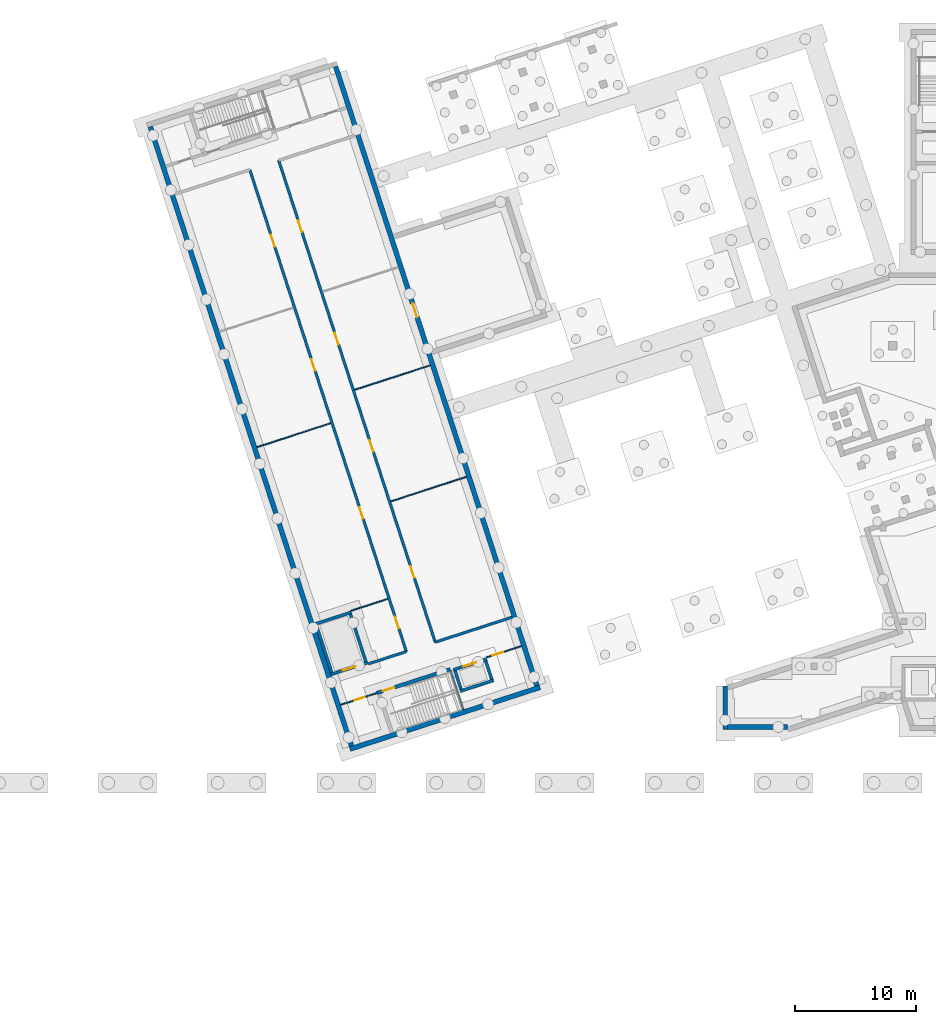
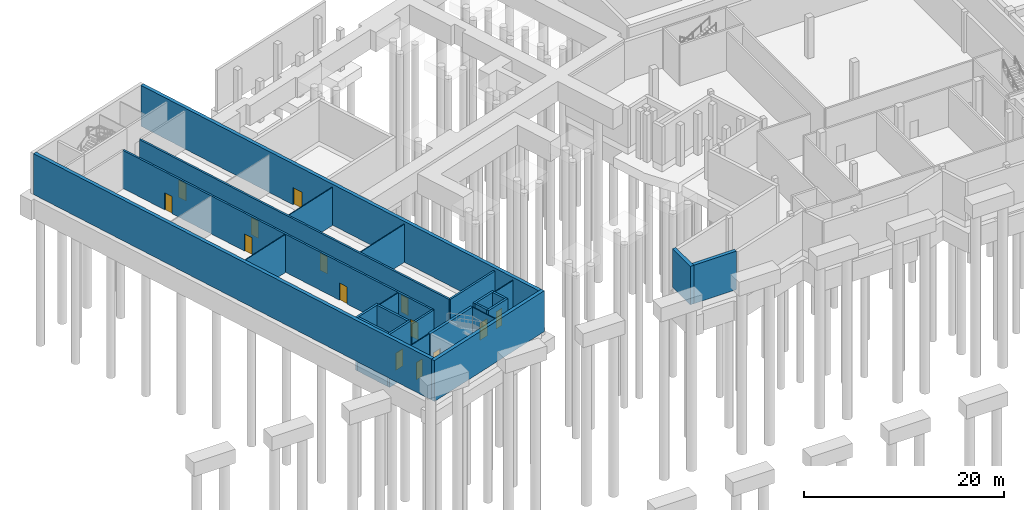
# One storey, part 7 of 17: 25 walls, 14 doors, 14 openings.
"""IFC4 building model written with IfcOpenShell, lengths in metres."""

from ifc_helpers import new_model, si_unit, direction, frame, frame_2d, origin, place, context, subcontext, project, spatial, rectangle, extrude, material, layer, layer_set, type_object, element, fill, save


model = new_model("IFC4")

# Units and contexts
model_context = context("Model", 3, precision=1e-05, world=origin(), true_north=direction((0.0, 1.0)))
body_context = subcontext(model_context, "Body", "Model", "MODEL_VIEW")
ifc_project = project(units=[si_unit("LENGTHUNIT", "METRE"), si_unit("AREAUNIT", "SQUARE_METRE"), si_unit("VOLUMEUNIT", "CUBIC_METRE"), si_unit("PLANEANGLEUNIT", "RADIAN"), si_unit("MASSUNIT", "GRAM", prefix="KILO")], contexts=[model_context])

# Site, building, storey
site_placement = place(None, origin())
site = spatial("IfcSite", under=ifc_project, at=site_placement, CompositionType="ELEMENT")
building_placement = place(site_placement, origin())
building = spatial("IfcBuilding", under=site, at=building_placement, Name="Tuart Plaza Theatre", CompositionType="ELEMENT")
storey_placement = place(building_placement, frame((0.0, 0.0, -10.0)))
storey = spatial("IfcBuildingStorey", under=building, at=storey_placement, Name="B2", CompositionType="ELEMENT", Elevation=-10.0)

# Wall, opening, door
ifc_material_1 = material(Name="Plasterboard on steel stud", Category="steel")
ifc_layer_1 = layer(ifc_material_1, 0.10009765625)
ifc_layer_set_1 = layer_set([ifc_layer_1], Name="PARTITION STD100 FRL -/120/120")
wall_type_1 = type_object("IfcWallType", Name="PARTITION STD100 FRL -/120/120", PredefinedType="PARTITIONING", material=ifc_layer_set_1)
wall_1_placement = place(storey_placement, frame((32.54638671875, 44.42529296875, 0.0), z_axis=(0.0, 0.0, 1.0), x_axis=(0.951058557014, 0.309010713619, 0.0)))
wall_1 = element("IfcWall", 1, at=wall_1_placement, inside=storey, type_object=wall_type_1, Name="P190", PredefinedType="PARTITIONING", context=body_context, shape_type="SweptSolid", body=[
    extrude(rectangle(XDim=3.14990234375, YDim=0.10009765625, at=frame_2d((1.574951171875, 0.0))), origin(), (0.0, 0.0, 1.0), 4.64990234375),
])
opening_1_placement = place(wall_1_placement, frame((1.199951171875, 0.0, 0.0)))
opening_1 = element("IfcOpeningElement", 2, at=opening_1_placement, cuts=wall_1, Name="Opening B2-005", PredefinedType="OPENING", context=body_context, shape_type="SweptSolid", body=[
    extrude(rectangle(XDim=0.89990234375, YDim=2.10009765625, at=frame_2d((0.449951171875, 1.050048828125))), frame((0.0, 0.06005859375, 0.0), z_axis=(0.0, -1.0, 0.0), x_axis=(1.0, 0.0, 0.0)), (0.0, 0.0, 1.0), 0.1201171875),
])
ifc_material_2 = material(Name="Timber", Category="wood")
door_type_1 = type_object("IfcDoorType", Name="DOOR 900x2100 timber single swing FRL -/120/30", OperationType="SINGLE_SWING_LEFT", PredefinedType="DOOR", material=ifc_material_2)
door_1_placement = place(opening_1_placement, frame((0.89990234375, 0.0, 0.0), z_axis=(0.0, 0.0, 1.0), x_axis=(-1.0, 0.0, 0.0)))
door_1 = element("IfcDoor", 3, at=door_1_placement, inside=storey, type_object=door_type_1, Name="B2-005", OperationType="SINGLE_SWING_RIGHT", OverallHeight=2.10009765625, OverallWidth=0.89990234375, PredefinedType="DOOR", context=body_context, shape_type="SweptSolid", body=[
    extrude(rectangle(XDim=0.89990234375, YDim=2.10009765625, at=frame_2d((0.449951171875, 1.050048828125))), frame((0.0, 0.02490234375, 0.0), z_axis=(0.0, -1.0, 0.0), x_axis=(1.0, 0.0, 0.0)), (0.0, 0.0, 1.0), 0.050048828125),
])
fill(opening_1, door_1)

wall_2_placement = place(storey_placement, frame((44.529541015625, 48.31884765625, 0.0), z_axis=(0.0, 0.0, 1.0), x_axis=(0.951072883748, 0.308966615996, 0.0)))
wall_2 = element("IfcWall", 4, at=wall_2_placement, inside=storey, type_object=wall_type_1, Name="P191", PredefinedType="PARTITIONING", context=body_context, shape_type="SweptSolid", body=[
    extrude(rectangle(XDim=3.050048828125, YDim=0.10009765625, at=frame_2d((1.52490234375, 0.0))), origin(), (0.0, 0.0, 1.0), 4.64990234375),
])
opening_2_placement = place(wall_2_placement, frame((0.550048828125, 0.0, 0.0)))
opening_2 = element("IfcOpeningElement", 5, at=opening_2_placement, cuts=wall_2, Name="Opening B2-006", PredefinedType="OPENING", context=body_context, shape_type="SweptSolid", body=[
    extrude(rectangle(XDim=0.89990234375, YDim=2.10009765625, at=frame_2d((0.449951171875, 1.050048828125))), frame((0.0, 0.06005859375, 0.0), z_axis=(0.0, -1.0, 0.0), x_axis=(1.0, 0.0, 0.0)), (0.0, 0.0, 1.0), 0.1201171875),
])
door_2_placement = place(opening_2_placement, frame((0.89990234375, 0.0, 0.0), z_axis=(0.0, 0.0, 1.0), x_axis=(-1.0, 0.0, 0.0)))
door_2 = element("IfcDoor", 6, at=door_2_placement, inside=storey, type_object=door_type_1, Name="B2-006", OperationType="SINGLE_SWING_LEFT", OverallHeight=2.10009765625, OverallWidth=0.89990234375, PredefinedType="DOOR", context=body_context, shape_type="SweptSolid", body=[
    extrude(rectangle(XDim=0.89990234375, YDim=2.10009765625, at=frame_2d((0.449951171875, 1.050048828125))), frame((0.0, 0.02490234375, 0.0), z_axis=(0.0, -1.0, 0.0), x_axis=(1.0, 0.0, 0.0)), (0.0, 0.0, 1.0), 0.050048828125),
])
fill(opening_2, door_2)

# Walls
wall_3_placement = place(storey_placement, frame((33.395751953125, 52.16650390625, 0.0), z_axis=(0.0, 0.0, 1.0), x_axis=(0.951044192343, 0.309054921027, 0.0)))
element("IfcWall", 7, at=wall_3_placement, inside=storey, type_object=wall_type_1, Name="P192", PredefinedType="PARTITIONING", context=body_context, shape_type="SweptSolid", body=[
    extrude(rectangle(XDim=3.18994140625, YDim=0.10009765625, at=frame_2d((1.594970703125, 0.0))), origin(), (0.0, 0.0, 1.0), 4.64990234375),
])
wall_4_placement = place(storey_placement, frame((36.683349609375, 61.17333984375, 0.0), z_axis=(0.0, 0.0, 1.0), x_axis=(0.951056287011, 0.309017700038, 0.0)))
element("IfcWall", 8, at=wall_4_placement, inside=storey, type_object=wall_type_1, Name="P193", PredefinedType="PARTITIONING", context=body_context, shape_type="SweptSolid", body=[
    extrude(rectangle(XDim=6.5400390625, YDim=0.10009765625, at=frame_2d((3.27001953125, 0.0))), origin(), (0.0, 0.0, 1.0), 4.64990234375),
])
wall_5_placement = place(storey_placement, frame((25.6552734375, 65.6337890625, 0.0), z_axis=(0.0, 0.0, 1.0), x_axis=(0.951055405517, 0.309020412977, 0.0)))
element("IfcWall", 9, at=wall_5_placement, inside=storey, type_object=wall_type_1, Name="P194", PredefinedType="PARTITIONING", context=body_context, shape_type="SweptSolid", body=[
    extrude(rectangle(XDim=6.389892578125, YDim=0.10009765625, at=frame_2d((3.19482421875, 0.0))), origin(), (0.0, 0.0, 1.0), 4.64990234375),
])
wall_6_placement = place(storey_placement, frame((33.701416015625, 70.35107421875, 0.0), z_axis=(0.0, 0.0, 1.0), x_axis=(0.951052722107, 0.30902867144, 0.0)))
element("IfcWall", 10, at=wall_6_placement, inside=storey, type_object=wall_type_1, Name="P195", PredefinedType="PARTITIONING", context=body_context, shape_type="SweptSolid", body=[
    extrude(rectangle(XDim=6.539794921875, YDim=0.10009765625, at=frame_2d((3.27001953125, 0.0))), origin(), (0.0, 0.0, 1.0), 4.64990234375),
])
ifc_material_3 = material(Name="Plasterboard on steel stud", Category="steel")
ifc_layer_2 = layer(ifc_material_3, 0.10009765625)
ifc_layer_set_2 = layer_set([ifc_layer_2], Name="PARTITION STD100 FRL 120/120/120")
wall_type_2 = type_object("IfcWallType", Name="PARTITION STD100 FRL 120/120/120", PredefinedType="PARTITIONING", material=ifc_layer_set_2)
wall_7_placement = place(storey_placement, frame((42.662841796875, 44.0322265625, 0.0), z_axis=(0.0, 0.0, 1.0), x_axis=(-0.309003676349, 0.951060843481, 0.0)))
element("IfcWall", 11, at=wall_7_placement, inside=storey, type_object=wall_type_2, Name="P198", PredefinedType="PARTITIONING", context=body_context, shape_type="SweptSolid", body=[
    extrude(rectangle(XDim=3.35009765625, YDim=0.10009765625, at=frame_2d((1.675048828125, 0.0))), origin(), (0.0, 0.0, 1.0), 4.64990234375),
])
ifc_material_4 = material(Name="Concrete N40 (40 MPa)", Category="concrete")
ifc_layer_3 = layer(ifc_material_4, 0.25)
ifc_layer_set_3 = layer_set([ifc_layer_3], Name="SHEAR WALL RC250 FRL 120/120/120")
wall_type_3 = type_object("IfcWallType", Name="SHEAR WALL RC250 FRL 120/120/120", PredefinedType="SHEAR", material=ifc_layer_set_3)
wall_8_placement = place(storey_placement, frame((42.3818359375, 45.54443359375, -1.5), z_axis=(0.0, 0.0, 1.0), x_axis=(0.951071801089, 0.308969948659, 0.0)))
element("IfcWall", 12, at=wall_8_placement, inside=storey, type_object=wall_type_3, Name="W164", PredefinedType="SHEAR", context=body_context, shape_type="SweptSolid", body=[
    extrude(rectangle(XDim=2.89990234375, YDim=0.25, at=frame_2d((1.449951171875, 0.0))), origin(), (0.0, 0.0, 1.0), 6.5),
])
wall_9_placement = place(storey_placement, frame((44.982421875, 46.520751953125, -1.5), z_axis=(0.0, 0.0, 1.0), x_axis=(-0.308986014439, 0.951066581729, 0.0)))
element("IfcWall", 13, at=wall_9_placement, inside=storey, type_object=wall_type_3, Name="W165", PredefinedType="SHEAR", context=body_context, shape_type="SweptSolid", body=[
    extrude(rectangle(XDim=1.60009765625, YDim=0.25, at=frame_2d((0.800048828125, 0.0))), origin(), (0.0, 0.0, 1.0), 6.5),
])

# Wall, opening, door
wall_10_placement = place(storey_placement, frame((44.568359375, 48.199951171875, -1.5), z_axis=(0.0, 0.0, 1.0), x_axis=(-0.951047059821, -0.309046096893, 0.0)))
wall_10 = element("IfcWall", 14, at=wall_10_placement, inside=storey, type_object=wall_type_3, Name="W166", PredefinedType="SHEAR", context=body_context, shape_type="SweptSolid", body=[
    extrude(rectangle(XDim=2.89990234375, YDim=0.25, at=frame_2d((1.449951171875, 0.0))), origin(), (0.0, 0.0, 1.0), 6.5),
])
opening_3_placement = place(wall_10_placement, frame((0.89990234375, 0.0, 1.5)))
opening_3 = element("IfcOpeningElement", 15, at=opening_3_placement, cuts=wall_10, Name="Opening B2-001", PredefinedType="OPENING", context=body_context, shape_type="SweptSolid", body=[
    extrude(rectangle(XDim=1.10009765625, YDim=2.10009765625, at=frame_2d((0.550048828125, 1.050048828125))), frame((0.0, 0.135009765625, 0.0), z_axis=(0.0, -1.0, 0.0), x_axis=(1.0, 0.0, 0.0)), (0.0, 0.0, 1.0), 0.27001953125),
])
ifc_material_5 = material(Name="Steel Grade 300", Category="steel")
door_type_2 = type_object("IfcDoorType", Name="LANDING DOOR 1100x2100 steel sliding FRL -/120/30", OperationType="SLIDING_TO_LEFT", PredefinedType="DOOR", material=ifc_material_5)
door_3_placement = place(opening_3_placement, origin())
door_3 = element("IfcDoor", 16, at=door_3_placement, inside=storey, type_object=door_type_2, Name="B2-001", OperationType="SLIDING_TO_LEFT", OverallHeight=2.10009765625, OverallWidth=1.10009765625, PredefinedType="DOOR", context=body_context, shape_type="SweptSolid", body=[
    extrude(rectangle(XDim=1.10009765625, YDim=2.10009765625, at=frame_2d((0.550048828125, 1.050048828125))), frame((0.0, 0.02490234375, 0.0), z_axis=(0.0, -1.0, 0.0), x_axis=(1.0, 0.0, 0.0)), (0.0, 0.0, 1.0), 0.050048828125),
])
fill(opening_3, door_3)

# Wall
wall_11_placement = place(storey_placement, frame((41.9677734375, 47.2236328125, -1.5), z_axis=(0.0, 0.0, 1.0), x_axis=(0.308986014439, -0.951066581729, 0.0)))
element("IfcWall", 17, at=wall_11_placement, inside=storey, type_object=wall_type_3, Name="W167", PredefinedType="SHEAR", context=body_context, shape_type="SweptSolid", body=[
    extrude(rectangle(XDim=1.60009765625, YDim=0.25, at=frame_2d((0.800048828125, 0.0))), origin(), (0.0, 0.0, 1.0), 6.5),
])

# Wall, opening, door
wall_12_placement = place(storey_placement, frame((31.735107421875, 46.921630859375, -1.5), z_axis=(0.0, 0.0, 1.0), x_axis=(0.95104415986, 0.309055020985, 0.0)))
wall_12 = element("IfcWall", 18, at=wall_12_placement, inside=storey, type_object=wall_type_3, Name="W196", PredefinedType="SHEAR", context=body_context, shape_type="SweptSolid", body=[
    extrude(rectangle(XDim=3.2001953125, YDim=0.25, at=frame_2d((1.60009765625, 0.0))), origin(), (0.0, 0.0, 1.0), 6.5),
])
opening_4_placement = place(wall_12_placement, frame((1.050048828125, 0.0, 1.5)))
opening_4 = element("IfcOpeningElement", 19, at=opening_4_placement, cuts=wall_12, Name="Opening B2-002", PredefinedType="OPENING", context=body_context, shape_type="SweptSolid", body=[
    extrude(rectangle(XDim=1.10009765625, YDim=2.10009765625, at=frame_2d((0.550048828125, 1.050048828125))), frame((0.0, 0.135009765625, 0.0), z_axis=(0.0, -1.0, 0.0), x_axis=(1.0, 0.0, 0.0)), (0.0, 0.0, 1.0), 0.27001953125),
])
door_4_placement = place(opening_4_placement, origin())
door_4 = element("IfcDoor", 20, at=door_4_placement, inside=storey, type_object=door_type_2, Name="B2-002", OperationType="SLIDING_TO_LEFT", OverallHeight=2.10009765625, OverallWidth=1.10009765625, PredefinedType="DOOR", context=body_context, shape_type="SweptSolid", body=[
    extrude(rectangle(XDim=1.10009765625, YDim=2.10009765625, at=frame_2d((0.550048828125, 1.050048828125))), frame((0.0, 0.02490234375, 0.0), z_axis=(0.0, -1.0, 0.0), x_axis=(1.0, 0.0, 0.0)), (0.0, 0.0, 1.0), 0.050048828125),
])
fill(opening_4, door_4)

# Walls
wall_13_placement = place(storey_placement, frame((34.62109375, 47.990966796875, -1.5), z_axis=(0.0, 0.0, 1.0), x_axis=(-0.309055103076, 0.951044133184, 0.0)))
element("IfcWall", 21, at=wall_13_placement, inside=storey, type_object=wall_type_3, Name="W197", PredefinedType="SHEAR", context=body_context, shape_type="SweptSolid", body=[
    extrude(rectangle(XDim=4.099853515625, YDim=0.25, at=frame_2d((2.0498046875, 0.0))), origin(), (0.0, 0.0, 1.0), 6.5),
])
wall_14_placement = place(storey_placement, frame((33.434326171875, 52.047607421875, -1.5), z_axis=(0.0, 0.0, 1.0), x_axis=(-0.951066581729, -0.308986014439, 0.0)))
element("IfcWall", 22, at=wall_14_placement, inside=storey, type_object=wall_type_3, Name="W198", PredefinedType="SHEAR", context=body_context, shape_type="SweptSolid", body=[
    extrude(rectangle(XDim=3.199951171875, YDim=0.25, at=frame_2d((1.60009765625, 0.0))), origin(), (0.0, 0.0, 1.0), 6.5),
])
wall_15_placement = place(storey_placement, frame((30.54833984375, 50.978515625, -1.5), z_axis=(0.0, 0.0, 1.0), x_axis=(0.309055103076, -0.951044133184, 0.0)))
element("IfcWall", 23, at=wall_15_placement, inside=storey, type_object=wall_type_3, Name="W199", PredefinedType="SHEAR", context=body_context, shape_type="SweptSolid", body=[
    extrude(rectangle(XDim=4.099853515625, YDim=0.25, at=frame_2d((2.0498046875, 0.0))), origin(), (0.0, 0.0, 1.0), 6.5),
])
ifc_material_6 = material(Name="Concrete N40 (40 MPa)", Category="concrete")
ifc_layer_4 = layer(ifc_material_6, 0.39990234375)
ifc_layer_set_4 = layer_set([ifc_layer_4], Name="SHEAR WALL RC400 FRL 120/120/120 EXT")
wall_type_4 = type_object("IfcWallType", Name="SHEAR WALL RC400 FRL 120/120/120 EXT", PredefinedType="SHEAR", material=ifc_layer_set_4)
wall_16_placement = place(storey_placement, frame((69.321044921875, 42.60009765625, 0.0), z_axis=(0.0, 0.0, 1.0), x_axis=(-1.0, 0.0, 0.0)))
element("IfcWall", 24, at=wall_16_placement, inside=storey, type_object=wall_type_4, Name="W298", PredefinedType="SHEAR", context=body_context, shape_type="SweptSolid", body=[
    extrude(rectangle(XDim=4.921142578125, YDim=0.39990234375, at=frame_2d((2.46044921875, 0.0))), origin(), (0.0, 0.0, 1.0), 4.699951171875),
])
wall_17_placement = place(storey_placement, frame((64.199951171875, 42.39990234375, 0.0), z_axis=(0.0, 0.0, 1.0), x_axis=(0.0, 1.0, 0.0)))
element("IfcWall", 25, at=wall_17_placement, inside=storey, type_object=wall_type_4, Name="W299", PredefinedType="SHEAR", context=body_context, shape_type="SweptSolid", body=[
    extrude(rectangle(XDim=3.5830078125, YDim=0.39990234375, at=frame_2d((1.79150390625, 0.0))), origin(), (0.0, 0.0, 1.0), 4.699951171875),
])

# Wall, openings, doors
ifc_material_7 = material(Name="Concrete N40 (40 MPa)", Category="concrete")
ifc_layer_5 = layer(ifc_material_7, 0.219970703125)
ifc_layer_set_5 = layer_set([ifc_layer_5], Name="WALL RC220 LB FRL 120/120/120")
wall_type_5 = type_object("IfcWallType", Name="WALL RC220 LB FRL 120/120/120", PredefinedType="SOLIDWALL", material=ifc_layer_set_5)
wall_18_placement = place(storey_placement, frame((37.95556640625, 48.8115234375, 0.0), z_axis=(0.0, 0.0, 1.0), x_axis=(-0.30901736393, 0.951056396219, 0.0)))
wall_18 = element("IfcWall", 26, at=wall_18_placement, inside=storey, type_object=wall_type_5, Name="W487", PredefinedType="SOLIDWALL", context=body_context, shape_type="SweptSolid", body=[
    extrude(rectangle(XDim=41.699951171875, YDim=0.219970703125, at=frame_2d((20.85009765625, 0.0))), origin(), (0.0, 0.0, 1.0), 4.64990234375),
])
opening_5_placement = place(wall_18_placement, frame((2.009033203125, 0.0, 0.0)))
opening_5 = element("IfcOpeningElement", 27, at=opening_5_placement, cuts=wall_18, Name="Opening B2-010", PredefinedType="OPENING", context=body_context, shape_type="SweptSolid", body=[
    extrude(rectangle(XDim=1.0, YDim=2.10009765625, at=frame_2d((0.5, 1.050048828125))), frame((0.0, 0.119873046875, 0.0), z_axis=(0.0, -1.0, 0.0), x_axis=(1.0, 0.0, 0.0)), (0.0, 0.0, 1.0), 0.239990234375),
])
opening_6_placement = place(wall_18_placement, frame((11.49462890625, 0.0, 0.0)))
opening_6 = element("IfcOpeningElement", 28, at=opening_6_placement, cuts=wall_18, Name="Opening B2-011", PredefinedType="OPENING", context=body_context, shape_type="SweptSolid", body=[
    extrude(rectangle(XDim=1.0, YDim=2.10009765625, at=frame_2d((0.5, 1.050048828125))), frame((0.0, 0.119873046875, 0.0), z_axis=(0.0, -1.0, 0.0), x_axis=(1.0, 0.0, 0.0)), (0.0, 0.0, 1.0), 0.239990234375),
])
opening_7_placement = place(wall_18_placement, frame((24.300048828125, 0.0, 0.0)))
opening_7 = element("IfcOpeningElement", 29, at=opening_7_placement, cuts=wall_18, Name="Opening B2-012", PredefinedType="OPENING", context=body_context, shape_type="SweptSolid", body=[
    extrude(rectangle(XDim=1.0, YDim=2.10009765625, at=frame_2d((0.5, 1.050048828125))), frame((0.0, 0.119873046875, 0.0), z_axis=(0.0, -1.0, 0.0), x_axis=(1.0, 0.0, 0.0)), (0.0, 0.0, 1.0), 0.239990234375),
])
opening_8_placement = place(wall_18_placement, frame((35.044921875, 0.0, 0.0)))
opening_8 = element("IfcOpeningElement", 30, at=opening_8_placement, cuts=wall_18, Name="Opening B2-013", PredefinedType="OPENING", context=body_context, shape_type="SweptSolid", body=[
    extrude(rectangle(XDim=1.0, YDim=2.10009765625, at=frame_2d((0.5, 1.050048828125))), frame((0.0, 0.119873046875, 0.0), z_axis=(0.0, -1.0, 0.0), x_axis=(1.0, 0.0, 0.0)), (0.0, 0.0, 1.0), 0.239990234375),
])
ifc_material_8 = material(Name="Timber", Category="wood")
door_type_3 = type_object("IfcDoorType", Name="DOOR 1000x2100 timber single swing FRL -/120/30", OperationType="SINGLE_SWING_LEFT", PredefinedType="DOOR", material=ifc_material_8)
door_5_placement = place(opening_5_placement, origin())
door_5 = element("IfcDoor", 31, at=door_5_placement, inside=storey, type_object=door_type_3, Name="B2-010", OperationType="SINGLE_SWING_LEFT", OverallHeight=2.10009765625, OverallWidth=1.0, PredefinedType="DOOR", context=body_context, shape_type="SweptSolid", body=[
    extrude(rectangle(XDim=1.0, YDim=2.10009765625, at=frame_2d((0.5, 1.050048828125))), frame((0.0, 0.02490234375, 0.0), z_axis=(0.0, -1.0, 0.0), x_axis=(1.0, 0.0, 0.0)), (0.0, 0.0, 1.0), 0.050048828125),
])
fill(opening_5, door_5)
door_6_placement = place(opening_6_placement, origin())
door_6 = element("IfcDoor", 32, at=door_6_placement, inside=storey, type_object=door_type_3, Name="B2-011", OperationType="SINGLE_SWING_RIGHT", OverallHeight=2.10009765625, OverallWidth=1.0, PredefinedType="DOOR", context=body_context, shape_type="SweptSolid", body=[
    extrude(rectangle(XDim=1.0, YDim=2.10009765625, at=frame_2d((0.5, 1.050048828125))), frame((0.0, 0.02490234375, 0.0), z_axis=(0.0, -1.0, 0.0), x_axis=(1.0, 0.0, 0.0)), (0.0, 0.0, 1.0), 0.050048828125),
])
fill(opening_6, door_6)
door_7_placement = place(opening_7_placement, origin())
door_7 = element("IfcDoor", 33, at=door_7_placement, inside=storey, type_object=door_type_3, Name="B2-012", OperationType="SINGLE_SWING_LEFT", OverallHeight=2.10009765625, OverallWidth=1.0, PredefinedType="DOOR", context=body_context, shape_type="SweptSolid", body=[
    extrude(rectangle(XDim=1.0, YDim=2.10009765625, at=frame_2d((0.5, 1.050048828125))), frame((0.0, 0.02490234375, 0.0), z_axis=(0.0, -1.0, 0.0), x_axis=(1.0, 0.0, 0.0)), (0.0, 0.0, 1.0), 0.050048828125),
])
fill(opening_7, door_7)
door_8_placement = place(opening_8_placement, origin())
door_8 = element("IfcDoor", 34, at=door_8_placement, inside=storey, type_object=door_type_3, Name="B2-013", OperationType="SINGLE_SWING_LEFT", OverallHeight=2.10009765625, OverallWidth=1.0, PredefinedType="DOOR", context=body_context, shape_type="SweptSolid", body=[
    extrude(rectangle(XDim=1.0, YDim=2.10009765625, at=frame_2d((0.5, 1.050048828125))), frame((0.0, 0.02490234375, 0.0), z_axis=(0.0, -1.0, 0.0), x_axis=(1.0, 0.0, 0.0)), (0.0, 0.0, 1.0), 0.050048828125),
])
fill(opening_8, door_8)

wall_19_placement = place(storey_placement, frame((40.333251953125, 49.583984375, 0.0), z_axis=(0.0, 0.0, 1.0), x_axis=(-0.309015643281, 0.951056955291, 0.0)))
wall_19 = element("IfcWall", 35, at=wall_19_placement, inside=storey, type_object=wall_type_5, Name="W488", PredefinedType="SOLIDWALL", context=body_context, shape_type="SweptSolid", body=[
    extrude(rectangle(XDim=41.7001953125, YDim=0.219970703125, at=frame_2d((20.85009765625, 0.0))), origin(), (0.0, 0.0, 1.0), 4.64990234375),
])
opening_9_placement = place(wall_19_placement, frame((5.574951171875, 0.0, 0.0)))
opening_9 = element("IfcOpeningElement", 36, at=opening_9_placement, cuts=wall_19, Name="Opening B2-014", PredefinedType="OPENING", context=body_context, shape_type="SweptSolid", body=[
    extrude(rectangle(XDim=1.0, YDim=2.10009765625, at=frame_2d((0.5, 1.050048828125))), frame((0.0, 0.119873046875, 0.0), z_axis=(0.0, -1.0, 0.0), x_axis=(1.0, 0.0, 0.0)), (0.0, 0.0, 1.0), 0.239990234375),
])
opening_10_placement = place(wall_19_placement, frame((16.47509765625, 0.0, 0.0)))
opening_10 = element("IfcOpeningElement", 37, at=opening_10_placement, cuts=wall_19, Name="Opening B2-015", PredefinedType="OPENING", context=body_context, shape_type="SweptSolid", body=[
    extrude(rectangle(XDim=1.0, YDim=2.10009765625, at=frame_2d((0.5, 1.050048828125))), frame((0.0, 0.119873046875, 0.0), z_axis=(0.0, -1.0, 0.0), x_axis=(1.0, 0.0, 0.0)), (0.0, 0.0, 1.0), 0.239990234375),
])
opening_11_placement = place(wall_19_placement, frame((25.75244140625, 0.0, 0.0)))
opening_11 = element("IfcOpeningElement", 38, at=opening_11_placement, cuts=wall_19, Name="Opening B2-016", PredefinedType="OPENING", context=body_context, shape_type="SweptSolid", body=[
    extrude(rectangle(XDim=1.0, YDim=2.10009765625, at=frame_2d((0.5, 1.050048828125))), frame((0.0, 0.119873046875, 0.0), z_axis=(0.0, -1.0, 0.0), x_axis=(1.0, 0.0, 0.0)), (0.0, 0.0, 1.0), 0.239990234375),
])
opening_12_placement = place(wall_19_placement, frame((35.5, 0.0, 0.0)))
opening_12 = element("IfcOpeningElement", 39, at=opening_12_placement, cuts=wall_19, Name="Opening B2-017", PredefinedType="OPENING", context=body_context, shape_type="SweptSolid", body=[
    extrude(rectangle(XDim=1.0, YDim=2.10009765625, at=frame_2d((0.5, 1.050048828125))), frame((0.0, 0.119873046875, 0.0), z_axis=(0.0, -1.0, 0.0), x_axis=(1.0, 0.0, 0.0)), (0.0, 0.0, 1.0), 0.239990234375),
])
door_9_placement = place(opening_9_placement, frame((1.0, 0.0, 0.0), z_axis=(0.0, 0.0, 1.0), x_axis=(-1.0, 0.0, 0.0)))
door_9 = element("IfcDoor", 40, at=door_9_placement, inside=storey, type_object=door_type_3, Name="B2-014", OperationType="SINGLE_SWING_LEFT", OverallHeight=2.10009765625, OverallWidth=1.0, PredefinedType="DOOR", context=body_context, shape_type="SweptSolid", body=[
    extrude(rectangle(XDim=1.0, YDim=2.10009765625, at=frame_2d((0.5, 1.050048828125))), frame((0.0, 0.02490234375, 0.0), z_axis=(0.0, -1.0, 0.0), x_axis=(1.0, 0.0, 0.0)), (0.0, 0.0, 1.0), 0.050048828125),
])
fill(opening_9, door_9)
door_10_placement = place(opening_10_placement, frame((1.0, 0.0, 0.0), z_axis=(0.0, 0.0, 1.0), x_axis=(-1.0, 0.0, 0.0)))
door_10 = element("IfcDoor", 41, at=door_10_placement, inside=storey, type_object=door_type_3, Name="B2-015", OperationType="SINGLE_SWING_LEFT", OverallHeight=2.10009765625, OverallWidth=1.0, PredefinedType="DOOR", context=body_context, shape_type="SweptSolid", body=[
    extrude(rectangle(XDim=1.0, YDim=2.10009765625, at=frame_2d((0.5, 1.050048828125))), frame((0.0, 0.02490234375, 0.0), z_axis=(0.0, -1.0, 0.0), x_axis=(1.0, 0.0, 0.0)), (0.0, 0.0, 1.0), 0.050048828125),
])
fill(opening_10, door_10)
door_11_placement = place(opening_11_placement, origin())
door_11 = element("IfcDoor", 42, at=door_11_placement, inside=storey, type_object=door_type_3, Name="B2-016", OperationType="SINGLE_SWING_LEFT", OverallHeight=2.10009765625, OverallWidth=1.0, PredefinedType="DOOR", context=body_context, shape_type="SweptSolid", body=[
    extrude(rectangle(XDim=1.0, YDim=2.10009765625, at=frame_2d((0.5, 1.050048828125))), frame((0.0, 0.02490234375, 0.0), z_axis=(0.0, -1.0, 0.0), x_axis=(1.0, 0.0, 0.0)), (0.0, 0.0, 1.0), 0.050048828125),
])
fill(opening_11, door_11)
door_12_placement = place(opening_12_placement, frame((1.0, 0.0, 0.0), z_axis=(0.0, 0.0, 1.0), x_axis=(-1.0, 0.0, 0.0)))
door_12 = element("IfcDoor", 43, at=door_12_placement, inside=storey, type_object=door_type_3, Name="B2-017", OperationType="SINGLE_SWING_RIGHT", OverallHeight=2.10009765625, OverallWidth=1.0, PredefinedType="DOOR", context=body_context, shape_type="SweptSolid", body=[
    extrude(rectangle(XDim=1.0, YDim=2.10009765625, at=frame_2d((0.5, 1.050048828125))), frame((0.0, 0.02490234375, 0.0), z_axis=(0.0, -1.0, 0.0), x_axis=(1.0, 0.0, 0.0)), (0.0, 0.0, 1.0), 0.050048828125),
])
fill(opening_12, door_12)

# Walls
wall_20_placement = place(storey_placement, frame((34.817138671875, 47.791748046875, 0.0), z_axis=(0.0, 0.0, 1.0), x_axis=(0.951053095941, 0.309027520945, 0.0)))
element("IfcWall", 44, at=wall_20_placement, inside=storey, type_object=wall_type_5, Name="W489", PredefinedType="SOLIDWALL", context=body_context, shape_type="SweptSolid", body=[
    extrude(rectangle(XDim=3.300048828125, YDim=0.219970703125, at=frame_2d((1.64990234375, 0.0))), origin(), (0.0, 0.0, 1.0), 4.64990234375),
])
wall_21_placement = place(storey_placement, frame((40.333251953125, 49.583984375, 0.0), z_axis=(0.0, 0.0, 1.0), x_axis=(0.95105699893, 0.309015508975, 0.0)))
element("IfcWall", 45, at=wall_21_placement, inside=storey, type_object=wall_type_5, Name="W490", PredefinedType="SOLIDWALL", context=body_context, shape_type="SweptSolid", body=[
    extrude(rectangle(XDim=6.64990234375, YDim=0.219970703125, at=frame_2d((3.324951171875, 0.0))), origin(), (0.0, 0.0, 1.0), 4.64990234375),
])

# Wall, opening, door
ifc_material_9 = material(Name="Concrete N40 (40 MPa)", Category="concrete")
ifc_layer_6 = layer(ifc_material_9, 0.300048828125)
ifc_layer_set_6 = layer_set([ifc_layer_6], Name="WALL RC300 LB FRL 120/120/120")
wall_type_6 = type_object("IfcWallType", Name="WALL RC300 LB FRL 120/120/120", PredefinedType="SOLIDWALL", material=ifc_layer_set_6)
wall_22_placement = place(storey_placement, frame((41.581298828125, 47.36083984375, 0.0), z_axis=(0.0, 0.0, 1.0), x_axis=(-0.951058929949, -0.309009565815, 0.0)))
wall_22 = element("IfcWall", 46, at=wall_22_placement, inside=storey, type_object=wall_type_6, Name="W97", PredefinedType="SOLIDWALL", context=body_context, shape_type="SweptSolid", body=[
    extrude(rectangle(XDim=6.349853515625, YDim=0.300048828125, at=frame_2d((3.1748046875, 0.0))), origin(), (0.0, 0.0, 1.0), 4.64990234375),
])
opening_13_placement = place(wall_22_placement, frame((4.85009765625, 0.0, 0.0)))
opening_13 = element("IfcOpeningElement", 47, at=opening_13_placement, cuts=wall_22, Name="Opening B2-018", PredefinedType="OPENING", context=body_context, shape_type="SweptSolid", body=[
    extrude(rectangle(XDim=1.0, YDim=2.10009765625, at=frame_2d((0.5, 1.050048828125))), frame((0.0, 0.159912109375, 0.0), z_axis=(0.0, -1.0, 0.0), x_axis=(1.0, 0.0, 0.0)), (0.0, 0.0, 1.0), 0.320068359375),
])
door_13_placement = place(opening_13_placement, origin())
door_13 = element("IfcDoor", 48, at=door_13_placement, inside=storey, type_object=door_type_3, Name="B2-018", OperationType="SINGLE_SWING_LEFT", OverallHeight=2.10009765625, OverallWidth=1.0, PredefinedType="DOOR", context=body_context, shape_type="SweptSolid", body=[
    extrude(rectangle(XDim=1.0, YDim=2.10009765625, at=frame_2d((0.5, 1.050048828125))), frame((0.0, 0.02490234375, 0.0), z_axis=(0.0, -1.0, 0.0), x_axis=(1.0, 0.0, 0.0)), (0.0, 0.0, 1.0), 0.050048828125),
])
fill(opening_13, door_13)

# Wall
ifc_material_10 = material(Name="Concrete N40 (40 MPa)", Category="concrete")
ifc_layer_7 = layer(ifc_material_10, 0.39990234375)
ifc_layer_set_7 = layer_set([ifc_layer_7], Name="WALL RC400 LB FRL 120/120/120")
wall_type_7 = type_object("IfcWallType", Name="WALL RC400 LB FRL 120/120/120", PredefinedType="SOLIDWALL", material=ifc_layer_set_7)
wall_23_placement = place(storey_placement, frame((33.309326171875, 40.78271484375, 0.0), z_axis=(0.0, 0.0, 1.0), x_axis=(0.951057297292, 0.309014590704, 0.0)))
element("IfcWall", 49, at=wall_23_placement, inside=storey, type_object=wall_type_7, Name="W1", PredefinedType="SOLIDWALL", context=body_context, shape_type="SweptSolid", body=[
    extrude(rectangle(XDim=16.449951171875, YDim=0.39990234375, at=frame_2d((8.22509765625, 0.0))), origin(), (0.0, 0.0, 1.0), 5.0),
])

# Wall, opening, door
wall_24_placement = place(storey_placement, frame((48.7021484375, 45.994384765625, 0.0), z_axis=(0.0, 0.0, 1.0), x_axis=(-0.309016036191, 0.951056827627, 0.0)))
wall_24 = element("IfcWall", 50, at=wall_24_placement, inside=storey, type_object=wall_type_7, Name="W2", PredefinedType="SOLIDWALL", context=body_context, shape_type="SweptSolid", body=[
    extrude(rectangle(XDim=53.599853515625, YDim=0.39990234375, at=frame_2d((26.7998046875, 0.0))), origin(), (0.0, 0.0, 1.0), 5.0),
])
opening_14_placement = place(wall_24_placement, frame((31.89990234375, 0.0, 0.0)))
opening_14 = element("IfcOpeningElement", 51, at=opening_14_placement, cuts=wall_24, Name="Opening B2-020", PredefinedType="OPENING", context=body_context, shape_type="SweptSolid", body=[
    extrude(rectangle(XDim=1.199951171875, YDim=2.10009765625, at=frame_2d((0.60009765625, 1.050048828125))), frame((0.0, 0.2099609375, 0.0), z_axis=(0.0, -1.0, 0.0), x_axis=(1.0, 0.0, 0.0)), (0.0, 0.0, 1.0), 0.419921875),
])
ifc_material_11 = material(Name="Timber", Category="wood")
door_type_4 = type_object("IfcDoorType", Name="DOOR 1200x2100 timber single swing FRL -/120/30", OperationType="SINGLE_SWING_LEFT", PredefinedType="DOOR", material=ifc_material_11)
door_14_placement = place(opening_14_placement, frame((1.199951171875, 0.0, 0.0), z_axis=(0.0, 0.0, 1.0), x_axis=(-1.0, 0.0, 0.0)))
door_14 = element("IfcDoor", 52, at=door_14_placement, inside=storey, type_object=door_type_4, Name="B2-020", OperationType="SINGLE_SWING_RIGHT", OverallHeight=2.10009765625, OverallWidth=1.199951171875, PredefinedType="DOOR", context=body_context, shape_type="SweptSolid", body=[
    extrude(rectangle(XDim=1.199951171875, YDim=2.10009765625, at=frame_2d((0.60009765625, 1.050048828125))), frame((0.0, 0.02490234375, 0.0), z_axis=(0.0, -1.0, 0.0), x_axis=(1.0, 0.0, 0.0)), (0.0, 0.0, 1.0), 0.050048828125),
])
fill(opening_14, door_14)

# Wall
wall_25_placement = place(storey_placement, frame((16.874267578125, 92.01123046875, 0.0), z_axis=(0.0, 0.0, 1.0), x_axis=(0.309020156104, -0.951055488981, 0.0)))
element("IfcWall", 53, at=wall_25_placement, inside=storey, type_object=wall_type_7, Name="W4", PredefinedType="SOLIDWALL", context=body_context, shape_type="SweptSolid", body=[
    extrude(rectangle(XDim=53.60009765625, YDim=0.39990234375, at=frame_2d((26.800048828125, 0.0))), origin(), (0.0, 0.0, 1.0), 5.0),
])

save(model, "model.ifc")
